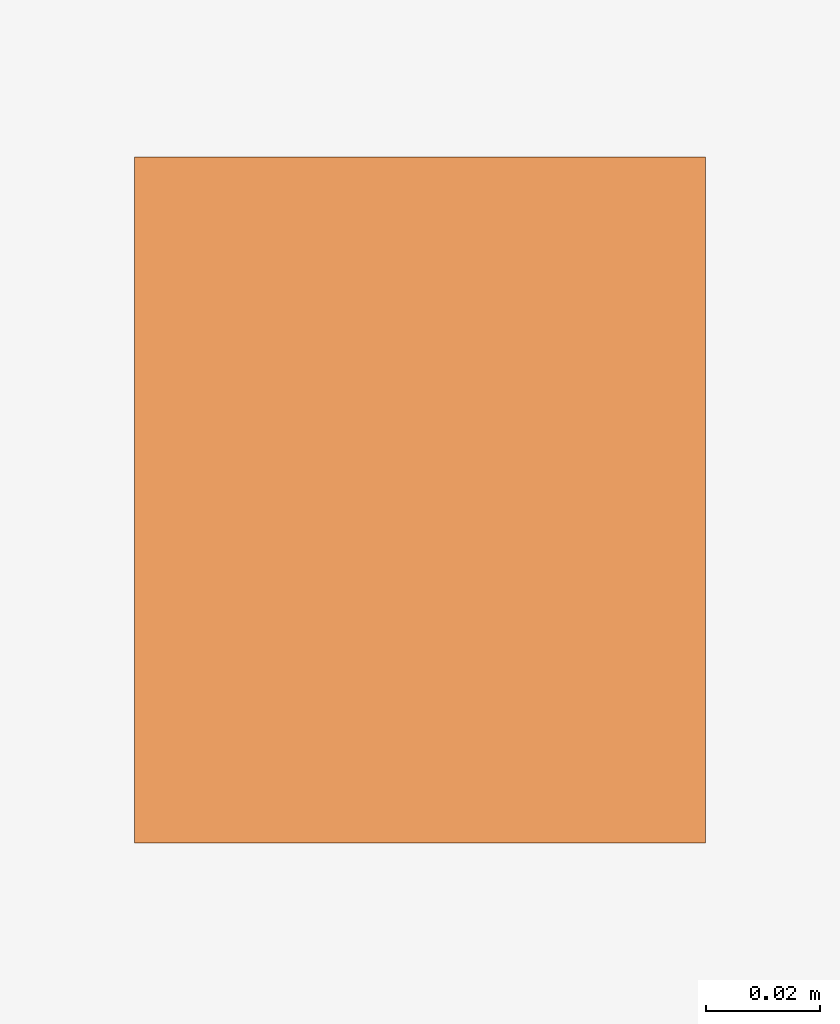
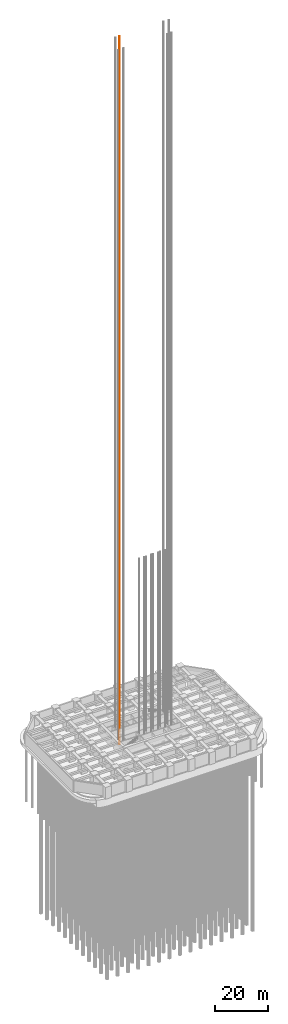
# One storey, part 19 of 24: 1 proxy.
"""IFC4 building model written with IfcOpenShell, lengths in metres."""

from ifc_helpers import new_model, si_unit, direction, frame, origin, origin_2d, place, context, subcontext, project, spatial, rectangle, extrude, element, save


model = new_model("IFC4")

# Units and contexts
model_context = context("Model", 3, precision=1e-05, world=origin(), true_north=direction((0.0, 1.0)))
body_context = subcontext(model_context, "Body", "Model", "MODEL_VIEW")
ifc_project = project(units=[si_unit("LENGTHUNIT", "METRE"), si_unit("AREAUNIT", "SQUARE_METRE"), si_unit("VOLUMEUNIT", "CUBIC_METRE"), si_unit("PLANEANGLEUNIT", "RADIAN"), si_unit("MASSUNIT", "GRAM", prefix="KILO")], contexts=[model_context])

# Site, building, storey
site_placement = place(None, origin())
site = spatial("IfcSite", under=ifc_project, at=site_placement, CompositionType="ELEMENT")
building_placement = place(site_placement, origin())
building = spatial("IfcBuilding", under=site, at=building_placement, Name="Zorevar Civic Tower", CompositionType="ELEMENT")
storey_placement = place(building_placement, frame((0.0, 0.0, -5.0)))
storey = spatial("IfcBuildingStorey", under=building, at=storey_placement, Name="B1", CompositionType="ELEMENT", Elevation=-5.0)

# Proxy
proxy_placement = place(storey_placement, frame((23.39990234375, 30.89990234375, -3.349853515625), z_axis=(0.0, 0.0, 1.0), x_axis=(1.0, 0.0, 0.0)))
element("IfcBuildingElementProxy", 1, at=proxy_placement, inside=storey, Name="Service lift SL2 guide rail 2", PredefinedType="NOTDEFINED", context=body_context, shape_type="SweptSolid", body=[
    extrude(rectangle(XDim=0.10009765625, YDim=0.1201171875, at=origin_2d()), origin(), (0.0, 0.0, 1.0), 323.64990234375),
])

save(model, "model.ifc")
